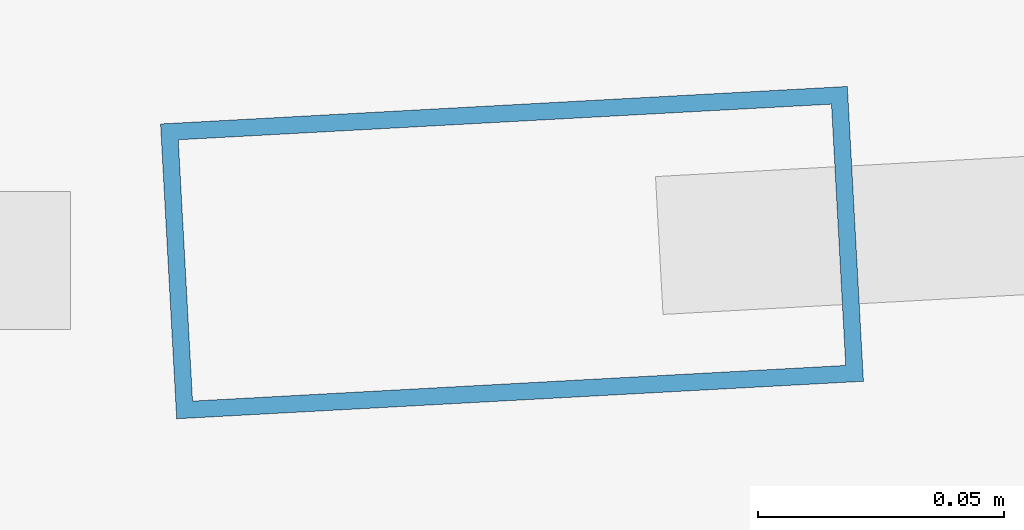
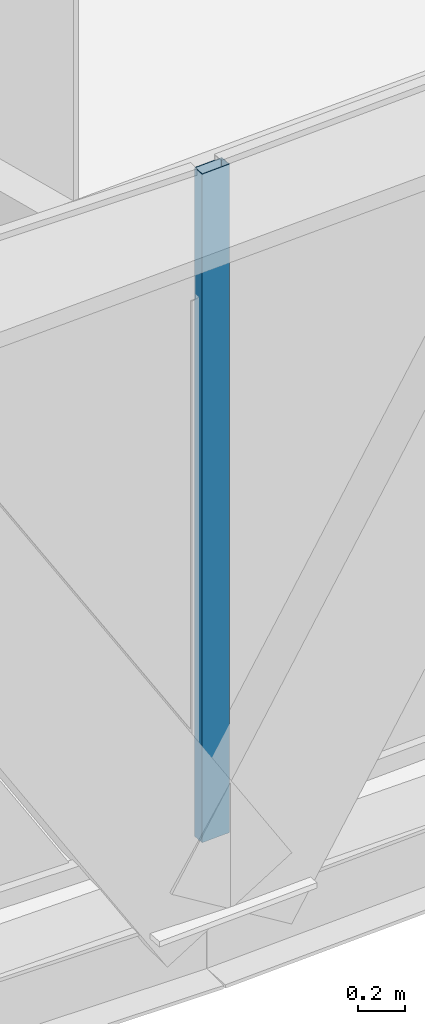
# One storey, part 10 of 37: 1 member, 1 element without a shape of its own.
"""IFC4 building model written with IfcOpenShell, lengths in metres."""

from ifc_helpers import new_model, si_unit, direction, frame, origin, origin_2d, place, context, subcontext, project, spatial, hollow_rectangle, extrude, source, transform, mapped, material, layer, layer_set, material_profile, profile_set, type_object, element, aggregate, save


model = new_model("IFC4")

# Units and contexts
model_context = context("Model", 3, precision=1e-05, world=origin(), true_north=direction((0.0, 1.0)))
body_context = subcontext(model_context, "Body", "Model", "MODEL_VIEW")
ifc_project = project(units=[si_unit("LENGTHUNIT", "METRE"), si_unit("AREAUNIT", "SQUARE_METRE"), si_unit("VOLUMEUNIT", "CUBIC_METRE"), si_unit("PLANEANGLEUNIT", "RADIAN"), si_unit("MASSUNIT", "GRAM", prefix="KILO"), si_unit("THERMODYNAMICTEMPERATUREUNIT", "KELVIN"), si_unit("POWERUNIT", "WATT")], contexts=[model_context])

# Site, building, storey
site_placement = place(None, origin())
site = spatial("IfcSite", under=ifc_project, at=site_placement, CompositionType="ELEMENT")
building_placement = place(site_placement, origin())
building = spatial("IfcBuilding", under=site, at=building_placement, Name="Yunzhuo Pagoda Commons", CompositionType="ELEMENT")
storey_placement = place(building_placement, frame((0.0, 0.0, 240.800048828125)))
storey = spatial("IfcBuildingStorey", under=building, at=storey_placement, Name="L60", CompositionType="ELEMENT", Elevation=240.800048828125)

# Curtain wall, member
ifc_material = material(Name="Anodized aluminium 6063-T6", Category="aluminium")
ifc_layer = layer(ifc_material, 0.139892578125)
ifc_layer_set = layer_set([ifc_layer], Name="Anodized aluminium 6063-T6")
curtain_wall_type = type_object("IfcCurtainWallType", Name="CW-HI High-Zone Ribbon Curtain Wall", PredefinedType="NOTDEFINED", material=ifc_layer_set)
curtain_wall_placement = place(storey_placement, origin())
curtain_wall = element("IfcCurtainWall", 1, at=curtain_wall_placement, inside=storey, type_object=curtain_wall_type, Name="L60 curtain wall CW-L60-F1B4", PredefinedType="NOTDEFINED")
ifc_material_profile = material_profile(ifc_material, hollow_rectangle(XDim=0.06005859375, YDim=0.139892578125, WallThickness=0.00341796875, at=origin_2d()), Name="Anodized aluminium 6063-T6")
ifc_profile_set = profile_set([ifc_material_profile], Name="Anodized aluminium 6063-T6")
member_type = type_object("IfcMemberType", Name="CW-HI-M Mullion RHS 140x60x3.5", PredefinedType="MULLION", material=ifc_profile_set)
shared_shape = source(origin(), body_context, "Body", "SweptSolid", [
    extrude(hollow_rectangle(XDim=0.06005859375, YDim=0.139892578125, WallThickness=0.00341796875, at=origin_2d()), origin(), (0.0, 0.0, 1.0), 3.47021484375),
])
member_placement = place(storey_placement, frame((52.673828125, 16.370361328125, 0.0), z_axis=(0.0, 0.0, 1.0), x_axis=(-0.054497194278, 0.998513923697, 0.0)))
member = element("IfcMember", 2, at=member_placement, type_object=member_type, Name="CW mullion 1", PredefinedType="MULLION", context=body_context, shape_type="MappedRepresentation", body=[
    mapped(shared_shape, transform((0.0, 0.0, 0.0), scale=1.0)),
])
aggregate(curtain_wall, [member])

save(model, "model.ifc")
